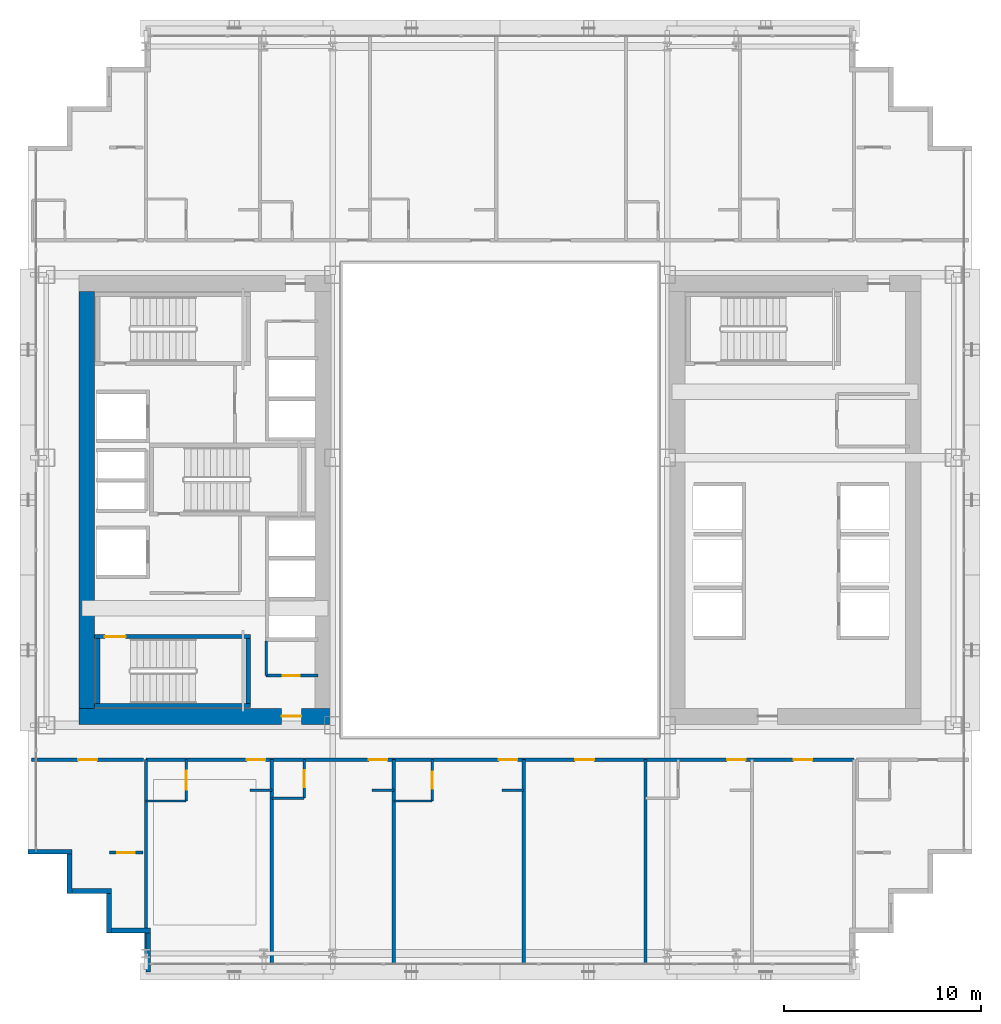
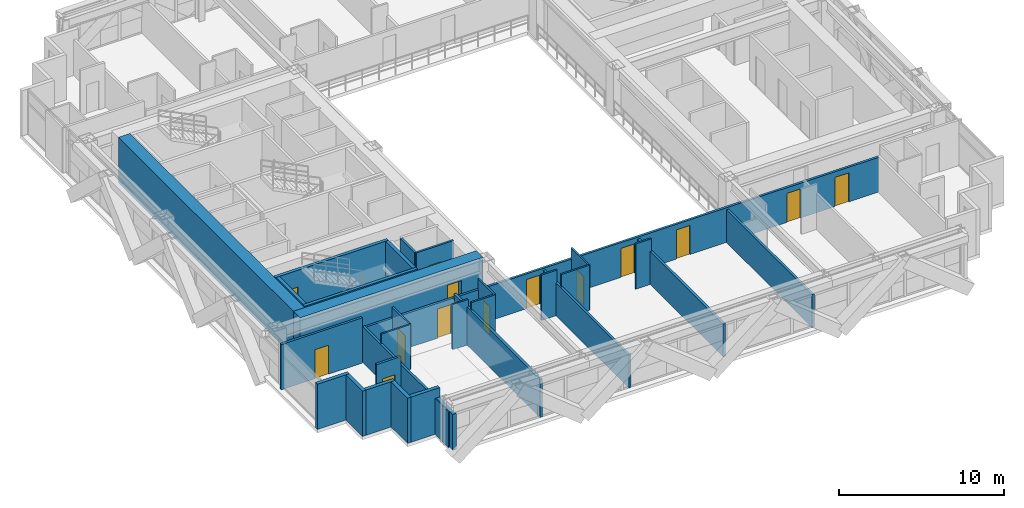
# One storey, part 27 of 35: 31 walls, 14 doors, 14 openings.
"""IFC4 building model written with IfcOpenShell, lengths in metres."""

from ifc_helpers import new_model, si_unit, direction, frame, frame_2d, origin, place, context, subcontext, project, spatial, rectangle, extrude, source, transform, mapped, material, layer, layer_set, type_object, element, fill, save


model = new_model("IFC4")

# Units and contexts
model_context = context("Model", 3, precision=1e-05, world=origin(), true_north=direction((0.0, 1.0)))
body_context = subcontext(model_context, "Body", "Model", "MODEL_VIEW")
ifc_project = project(units=[si_unit("LENGTHUNIT", "METRE"), si_unit("AREAUNIT", "SQUARE_METRE"), si_unit("VOLUMEUNIT", "CUBIC_METRE"), si_unit("PLANEANGLEUNIT", "RADIAN"), si_unit("MASSUNIT", "GRAM", prefix="KILO")], contexts=[model_context])

# Site, building, storey
site_placement = place(None, origin())
site = spatial("IfcSite", under=ifc_project, at=site_placement, CompositionType="ELEMENT")
building_placement = place(site_placement, origin())
building = spatial("IfcBuilding", under=site, at=building_placement, Name="Ocotamira Hotel", CompositionType="ELEMENT")
storey_placement = place(building_placement, frame((0.0, 0.0, 49.199951171875)))
storey = spatial("IfcBuildingStorey", under=building, at=storey_placement, Name="L11", CompositionType="ELEMENT", Elevation=49.199951171875)

# Wall, opening, door
ifc_material_1 = material(Name="Concrete C60/75", Category="concrete")
ifc_layer_1 = layer(ifc_material_1, 0.800048828125)
ifc_layer_set_1 = layer_set([ifc_layer_1], Name="Concrete C60/75")
wall_type_1 = type_object("IfcWallType", Name="WL-CORE-800", PredefinedType="SHEAR", material=ifc_layer_set_1)
wall_1_placement = place(storey_placement, frame((10.60009765625, 15.0, 0.0), z_axis=(0.0, 0.0, 1.0), x_axis=(1.0, 0.0, 0.0)))
wall_1 = element("IfcWall", 1, at=wall_1_placement, inside=storey, type_object=wall_type_1, Name="L11 Shear Core Wall WCORE-S", PredefinedType="SHEAR", context=body_context, shape_type="SweptSolid", body=[
    extrude(rectangle(XDim=12.7998046875, YDim=0.800048828125, at=frame_2d((6.39990234375, 0.0))), origin(), (0.0, 0.0, 1.0), 3.35009765625),
])
opening_1_placement = place(wall_1_placement, frame((10.300048828125, 0.0, 0.0)))
opening_1 = element("IfcOpeningElement", 2, at=opening_1_placement, cuts=wall_1, Name="Opening D-FR2", PredefinedType="OPENING", context=body_context, shape_type="SweptSolid", body=[
    extrude(rectangle(XDim=1.0, YDim=2.14990234375, at=frame_2d((0.5, 1.074951171875))), frame((0.0, 0.41015625, 0.0), z_axis=(0.0, -1.0, 0.0), x_axis=(1.0, 0.0, 0.0)), (0.0, 0.0, 1.0), 0.820068359375),
])
ifc_material_2 = material(Name="Fire-rated acoustic timber-veneer door", Category="wood")
door_type_1 = type_object("IfcDoorType", Name="DR-FIRE-1000", OperationType="NOTDEFINED", PredefinedType="DOOR", material=ifc_material_2)
shared_shape_1 = source(origin(), body_context, "Body", "SweptSolid", [
    extrude(rectangle(XDim=1.0, YDim=2.14990234375, at=frame_2d((0.5, 1.074951171875))), frame((0.0, 0.02490234375, 0.0), z_axis=(0.0, -1.0, 0.0), x_axis=(1.0, 0.0, 0.0)), (0.0, 0.0, 1.0), 0.050048828125),
])
door_1_placement = place(opening_1_placement, origin())
door_1 = element("IfcDoor", 3, at=door_1_placement, inside=storey, type_object=door_type_1, Name="L11 Door ID-L11-WLOB-S-D [ID-L11-WLOB-S-D]", OperationType="SINGLE_SWING_LEFT", OverallHeight=2.14990234375, OverallWidth=1.0, PredefinedType="DOOR", context=body_context, shape_type="MappedRepresentation", body=[
    mapped(shared_shape_1, transform((0.0, 0.0, 0.0), scale=1.0)),
])
fill(opening_1, door_1)

# Walls
wall_2_placement = place(storey_placement, frame((11.0, 15.39990234375, 0.0), z_axis=(0.0, 0.0, 1.0), x_axis=(0.0, 1.0, 0.0)))
element("IfcWall", 4, at=wall_2_placement, inside=storey, type_object=wall_type_1, Name="L11 Shear Core Wall WCORE-W", PredefinedType="SHEAR", context=body_context, shape_type="SweptSolid", body=[
    extrude(rectangle(XDim=21.2001953125, YDim=0.800048828125, at=frame_2d((10.60009765625, 0.0))), origin(), (0.0, 0.0, 1.0), 3.35009765625),
])
ifc_material_3 = material(Name="Precast concrete C45/55", Category="concrete")
ifc_layer_2 = layer(ifc_material_3, 0.25)
ifc_layer_set_2 = layer_set([ifc_layer_2], Name="Precast concrete C45/55")
wall_type_2 = type_object("IfcWallType", Name="WL-EXT-SER-250", PredefinedType="SOLIDWALL", material=ifc_layer_set_2)
wall_3_placement = place(storey_placement, frame((8.0, 8.125, 0.0), z_axis=(0.0, 0.0, 1.0), x_axis=(1.0, 0.0, 0.0)))
element("IfcWall", 5, at=wall_3_placement, inside=storey, type_object=wall_type_2, Name="L11 Serrated Corner Wall 19", PredefinedType="SOLIDWALL", context=body_context, shape_type="SweptSolid", body=[
    extrude(rectangle(XDim=2.25, YDim=0.25, at=frame_2d((1.125, 0.0))), origin(), (0.0, 0.0, 1.0), 3.35009765625),
])
for number, where, z_axis, x_axis, name in (
    (6, (10.125, 8.0, 0.0), (0.0, 0.0, 1.0), (0.0, -1.0, 0.0), "L11 Serrated Corner Wall 20"),
    (7, (10.25, 6.125, 0.0), (0.0, 0.0, 1.0), (1.0, 0.0, 0.0), "L11 Serrated Corner Wall 21"),
    (8, (12.125, 6.0, 0.0), (0.0, 0.0, 1.0), (0.0, -1.0, 0.0), "L11 Serrated Corner Wall 22"),
    (9, (12.25, 4.125, 0.0), (0.0, 0.0, 1.0), (1.0, 0.0, 0.0), "L11 Serrated Corner Wall 23"),
):
    element("IfcWall", number, at=place(storey_placement, frame(where, z_axis=z_axis, x_axis=x_axis)), inside=storey, type_object=wall_type_2, Name=name, PredefinedType="SOLIDWALL", context=body_context, shape_type="SweptSolid", body=[
        extrude(rectangle(XDim=2.0, YDim=0.25, at=frame_2d((1.0, 0.0))), origin(), (0.0, 0.0, 1.0), 3.35009765625),
    ])
wall_4_placement = place(storey_placement, frame((14.125, 4.0, 0.0), z_axis=(0.0, 0.0, 1.0), x_axis=(0.0, -1.0, 0.0)))
element("IfcWall", 10, at=wall_4_placement, inside=storey, type_object=wall_type_2, Name="L11 Serrated Corner Wall 24", PredefinedType="SOLIDWALL", context=body_context, shape_type="SweptSolid", body=[
    extrude(rectangle(XDim=2.0, YDim=0.25, at=frame_2d((1.0, 0.0))), origin(), (0.0, 0.0, 1.0), 2.656982421875),
])

# Wall, opening, door
ifc_material_4 = material(Name="Acoustic double-layer fire gypsum board partition", Category="gypsum")
ifc_layer_3 = layer(ifc_material_4, 0.159912109375)
ifc_layer_set_3 = layer_set([ifc_layer_3], Name="Acoustic double-layer fire gypsum board partition")
wall_type_3 = type_object("IfcWallType", Name="WL-FIRE-160", PredefinedType="PARTITIONING", material=ifc_layer_set_3)
wall_5_placement = place(storey_placement, frame((8.199951171875, 12.800048828125, 0.0), z_axis=(0.0, 0.0, 1.0), x_axis=(1.0, 0.0, 0.0)))
wall_5 = element("IfcWall", 11, at=wall_5_placement, inside=storey, type_object=wall_type_3, Name="L11 Interior Wall PW-L11-Z1B-CSW-CW", PredefinedType="PARTITIONING", context=body_context, shape_type="SweptSolid", body=[
    extrude(rectangle(XDim=5.679931640625, YDim=0.159912109375, at=frame_2d((2.83984375, 0.0))), origin(), (0.0, 0.0, 1.0), 3.35009765625),
])
opening_2_placement = place(wall_5_placement, frame((2.360107421875, 0.0, 0.0)))
opening_2 = element("IfcOpeningElement", 12, at=opening_2_placement, cuts=wall_5, Name="Opening D-SV4", PredefinedType="OPENING", context=body_context, shape_type="SweptSolid", body=[
    extrude(rectangle(XDim=0.9599609375, YDim=2.14990234375, at=frame_2d((0.47998046875, 1.074951171875))), frame((0.0, 0.08984375, 0.0), z_axis=(0.0, -1.0, 0.0), x_axis=(1.0, 0.0, 0.0)), (0.0, 0.0, 1.0), 0.179931640625),
])
ifc_material_5 = material(Name="Fire-rated accessible walnut salon door", Category="wood")
door_type_2 = type_object("IfcDoorType", Name="DR-SERV-960", OperationType="NOTDEFINED", PredefinedType="DOOR", material=ifc_material_5)
shared_shape_2 = source(origin(), body_context, "Body", "SweptSolid", [
    extrude(rectangle(XDim=0.9599609375, YDim=2.14990234375, at=frame_2d((0.47998046875, 1.074951171875))), frame((0.0, 0.02490234375, 0.0), z_axis=(0.0, -1.0, 0.0), x_axis=(1.0, 0.0, 0.0)), (0.0, 0.0, 1.0), 0.050048828125),
])
door_2_placement = place(opening_2_placement, origin())
door_2 = element("IfcDoor", 13, at=door_2_placement, inside=storey, type_object=door_type_2, Name="L11 Door ID-L11-Z1B-CSW-CD [ID-L11-Z1B-CSW-CD]", OperationType="SINGLE_SWING_LEFT", OverallHeight=2.14990234375, OverallWidth=0.9599609375, PredefinedType="DOOR", context=body_context, shape_type="MappedRepresentation", body=[
    mapped(shared_shape_2, transform((0.0, 0.0, 0.0), scale=1.0)),
])
fill(opening_2, door_2)

wall_6_placement = place(storey_placement, frame((12.14990234375, 8.080078125, 0.0), z_axis=(0.0, 0.0, 1.0), x_axis=(1.0, 0.0, 0.0)))
wall_6 = element("IfcWall", 14, at=wall_6_placement, inside=storey, type_object=wall_type_3, Name="L11 Interior Wall PW-L11-Z1B-CSW2-CW", PredefinedType="PARTITIONING", context=body_context, shape_type="SweptSolid", body=[
    extrude(rectangle(XDim=1.7001953125, YDim=0.159912109375, at=frame_2d((0.85009765625, 0.0))), origin(), (0.0, 0.0, 1.0), 3.35009765625),
])
opening_3_placement = place(wall_6_placement, frame((0.409912109375, 0.0, 0.0)))
opening_3 = element("IfcOpeningElement", 15, at=opening_3_placement, cuts=wall_6, Name="Opening D-SV2", PredefinedType="OPENING", context=body_context, shape_type="SweptSolid", body=[
    extrude(rectangle(XDim=0.8798828125, YDim=2.14990234375, at=frame_2d((0.43994140625, 1.074951171875))), frame((0.0, 0.08984375, 0.0), z_axis=(0.0, -1.0, 0.0), x_axis=(1.0, 0.0, 0.0)), (0.0, 0.0, 1.0), 0.179931640625),
])
ifc_material_6 = material(Name="Fire-rated painted steel service door", Category="steel")
door_type_3 = type_object("IfcDoorType", Name="DR-SERV-880", OperationType="NOTDEFINED", PredefinedType="DOOR", material=ifc_material_6)
shared_shape_3 = source(origin(), body_context, "Body", "SweptSolid", [
    extrude(rectangle(XDim=0.8798828125, YDim=2.14990234375, at=frame_2d((0.43994140625, 1.074951171875))), frame((0.0, 0.02490234375, 0.0), z_axis=(0.0, -1.0, 0.0), x_axis=(1.0, 0.0, 0.0)), (0.0, 0.0, 1.0), 0.050048828125),
])
door_3_placement = place(opening_3_placement, origin())
door_3 = element("IfcDoor", 16, at=door_3_placement, inside=storey, type_object=door_type_3, Name="L11 Door ID-L11-Z1B-CSW2-CD [ID-L11-Z1B-CSW2-CD]", OperationType="SINGLE_SWING_LEFT", OverallHeight=2.14990234375, OverallWidth=0.8798828125, PredefinedType="DOOR", context=body_context, shape_type="MappedRepresentation", body=[
    mapped(shared_shape_3, transform((0.0, 0.0, 0.0), scale=1.0)),
])
fill(opening_3, door_3)

# Wall, openings, doors
wall_7_placement = place(storey_placement, frame((14.0, 12.800048828125, 0.0), z_axis=(0.0, 0.0, 1.0), x_axis=(1.0, 0.0, 0.0)))
wall_7 = element("IfcWall", 17, at=wall_7_placement, inside=storey, type_object=wall_type_3, Name="L11 Interior Wall PW-L11-Z1BS-CORRW", PredefinedType="PARTITIONING", context=body_context, shape_type="SweptSolid", body=[
    extrude(rectangle(XDim=36.0, YDim=0.159912109375, at=frame_2d((18.0, 0.0))), origin(), (0.0, 0.0, 1.0), 2.571044921875),
])
opening_4_placement = place(wall_7_placement, frame((5.139892578125, 0.0, 0.0)))
opening_4 = element("IfcOpeningElement", 18, at=opening_4_placement, cuts=wall_7, Name="Opening D-GR1", PredefinedType="OPENING", context=body_context, shape_type="SweptSolid", body=[
    extrude(rectangle(XDim=0.93994140625, YDim=2.14990234375, at=frame_2d((0.469970703125, 1.074951171875))), frame((0.0, 0.08984375, 0.0), z_axis=(0.0, -1.0, 0.0), x_axis=(1.0, 0.0, 0.0)), (0.0, 0.0, 1.0), 0.179931640625),
])
opening_5_placement = place(wall_7_placement, frame((11.340087890625, 0.0, 0.0)))
opening_5 = element("IfcOpeningElement", 19, at=opening_5_placement, cuts=wall_7, Name="Opening D-GR1", PredefinedType="OPENING", context=body_context, shape_type="SweptSolid", body=[
    extrude(rectangle(XDim=0.93994140625, YDim=2.14990234375, at=frame_2d((0.469970703125, 1.074951171875))), frame((0.0, 0.08984375, 0.0), z_axis=(0.0, -1.0, 0.0), x_axis=(1.0, 0.0, 0.0)), (0.0, 0.0, 1.0), 0.179931640625),
])
opening_6_placement = place(wall_7_placement, frame((17.93994140625, 0.0, 0.0)))
opening_6 = element("IfcOpeningElement", 20, at=opening_6_placement, cuts=wall_7, Name="Opening D-GR1", PredefinedType="OPENING", context=body_context, shape_type="SweptSolid", body=[
    extrude(rectangle(XDim=0.93994140625, YDim=2.14990234375, at=frame_2d((0.469970703125, 1.074951171875))), frame((0.0, 0.08984375, 0.0), z_axis=(0.0, -1.0, 0.0), x_axis=(1.0, 0.0, 0.0)), (0.0, 0.0, 1.0), 0.179931640625),
])
opening_7_placement = place(wall_7_placement, frame((21.820068359375, 0.0, 0.0)))
opening_7 = element("IfcOpeningElement", 21, at=opening_7_placement, cuts=wall_7, Name="Opening D-SV4", PredefinedType="OPENING", context=body_context, shape_type="SweptSolid", body=[
    extrude(rectangle(XDim=0.9599609375, YDim=2.14990234375, at=frame_2d((0.47998046875, 1.074951171875))), frame((0.0, 0.08984375, 0.0), z_axis=(0.0, -1.0, 0.0), x_axis=(1.0, 0.0, 0.0)), (0.0, 0.0, 1.0), 0.179931640625),
])
opening_8_placement = place(wall_7_placement, frame((29.5400390625, 0.0, 0.0)))
opening_8 = element("IfcOpeningElement", 22, at=opening_8_placement, cuts=wall_7, Name="Opening D-GR1", PredefinedType="OPENING", context=body_context, shape_type="SweptSolid", body=[
    extrude(rectangle(XDim=0.93994140625, YDim=2.14990234375, at=frame_2d((0.469970703125, 1.074951171875))), frame((0.0, 0.08984375, 0.0), z_axis=(0.0, -1.0, 0.0), x_axis=(1.0, 0.0, 0.0)), (0.0, 0.0, 1.0), 0.179931640625),
])
opening_9_placement = place(wall_7_placement, frame((32.919921875, 0.0, 0.0)))
opening_9 = element("IfcOpeningElement", 23, at=opening_9_placement, cuts=wall_7, Name="Opening D-SV4", PredefinedType="OPENING", context=body_context, shape_type="SweptSolid", body=[
    extrude(rectangle(XDim=0.9599609375, YDim=2.14990234375, at=frame_2d((0.47998046875, 1.074951171875))), frame((0.0, 0.08984375, 0.0), z_axis=(0.0, -1.0, 0.0), x_axis=(1.0, 0.0, 0.0)), (0.0, 0.0, 1.0), 0.179931640625),
])
door_4_placement = place(opening_7_placement, origin())
door_4 = element("IfcDoor", 24, at=door_4_placement, inside=storey, type_object=door_type_2, Name="L11 Door ID-L11-Z1BS-AMD4 [ID-L11-Z1BS-AMD4]", OperationType="SINGLE_SWING_RIGHT", OverallHeight=2.14990234375, OverallWidth=0.9599609375, PredefinedType="DOOR", context=body_context, shape_type="MappedRepresentation", body=[
    mapped(shared_shape_2, transform((0.0, 0.0, 0.0), scale=1.0)),
])
fill(opening_7, door_4)
door_5_placement = place(opening_9_placement, origin())
door_5 = element("IfcDoor", 25, at=door_5_placement, inside=storey, type_object=door_type_2, Name="L11 Door ID-L11-Z1BS-AMD6 [ID-L11-Z1BS-AMD6]", OperationType="SINGLE_SWING_RIGHT", OverallHeight=2.14990234375, OverallWidth=0.9599609375, PredefinedType="DOOR", context=body_context, shape_type="MappedRepresentation", body=[
    mapped(shared_shape_2, transform((0.0, 0.0, 0.0), scale=1.0)),
])
fill(opening_9, door_5)
ifc_material_7 = material(Name="Solid-core walnut suite entrance fire door", Category="wood")
door_type_4 = type_object("IfcDoorType", Name="DR-GUEST-940", OperationType="NOTDEFINED", PredefinedType="DOOR", material=ifc_material_7)
shared_shape_4 = source(origin(), body_context, "Body", "SweptSolid", [
    extrude(rectangle(XDim=0.93994140625, YDim=2.14990234375, at=frame_2d((0.469970703125, 1.074951171875))), frame((0.0, 0.02490234375, 0.0), z_axis=(0.0, -1.0, 0.0), x_axis=(1.0, 0.0, 0.0)), (0.0, 0.0, 1.0), 0.050048828125),
])
door_6_placement = place(opening_4_placement, origin())
door_6 = element("IfcDoor", 26, at=door_6_placement, inside=storey, type_object=door_type_4, Name="L11 Door ID-L11-Z1BS-RMD1 [ID-L11-Z1BS-RMD1]", OperationType="SINGLE_SWING_LEFT", OverallHeight=2.14990234375, OverallWidth=0.93994140625, PredefinedType="DOOR", context=body_context, shape_type="MappedRepresentation", body=[
    mapped(shared_shape_4, transform((0.0, 0.0, 0.0), scale=1.0)),
])
fill(opening_4, door_6)
door_7_placement = place(opening_5_placement, origin())
door_7 = element("IfcDoor", 27, at=door_7_placement, inside=storey, type_object=door_type_4, Name="L11 Door ID-L11-Z1BS-RMD2 [ID-L11-Z1BS-RMD2]", OperationType="SINGLE_SWING_RIGHT", OverallHeight=2.14990234375, OverallWidth=0.93994140625, PredefinedType="DOOR", context=body_context, shape_type="MappedRepresentation", body=[
    mapped(shared_shape_4, transform((0.0, 0.0, 0.0), scale=1.0)),
])
fill(opening_5, door_7)
door_8_placement = place(opening_6_placement, origin())
door_8 = element("IfcDoor", 28, at=door_8_placement, inside=storey, type_object=door_type_4, Name="L11 Door ID-L11-Z1BS-RMD3 [ID-L11-Z1BS-RMD3]", OperationType="SINGLE_SWING_LEFT", OverallHeight=2.14990234375, OverallWidth=0.93994140625, PredefinedType="DOOR", context=body_context, shape_type="MappedRepresentation", body=[
    mapped(shared_shape_4, transform((0.0, 0.0, 0.0), scale=1.0)),
])
fill(opening_6, door_8)
door_9_placement = place(opening_8_placement, origin())
door_9 = element("IfcDoor", 29, at=door_9_placement, inside=storey, type_object=door_type_4, Name="L11 Door ID-L11-Z1BS-RMD5 [ID-L11-Z1BS-RMD5]", OperationType="SINGLE_SWING_LEFT", OverallHeight=2.14990234375, OverallWidth=0.93994140625, PredefinedType="DOOR", context=body_context, shape_type="MappedRepresentation", body=[
    mapped(shared_shape_4, transform((0.0, 0.0, 0.0), scale=1.0)),
])
fill(opening_8, door_9)

# Wall, opening, door
ifc_material_8 = material(Name="Moisture-resistant en-suite tile and gypsum partition", Category="gypsum")
ifc_layer_4 = layer(ifc_material_8, 0.1201171875)
ifc_layer_set_4 = layer_set([ifc_layer_4], Name="Moisture-resistant en-suite tile and gypsum partition")
wall_type_4 = type_object("IfcWallType", Name="WL-PART-120", PredefinedType="PARTITIONING", material=ifc_layer_set_4)
wall_8_placement = place(storey_placement, frame((16.050048828125, 10.699951171875, 0.0), z_axis=(0.0, 0.0, 1.0), x_axis=(0.0, 1.0, 0.0)))
wall_8 = element("IfcWall", 30, at=wall_8_placement, inside=storey, type_object=wall_type_4, Name="L11 Interior Wall PW-L11-Z1BS-BAE1", PredefinedType="PARTITIONING", context=body_context, shape_type="SweptSolid", body=[
    extrude(rectangle(XDim=2.10009765625, YDim=0.1201171875, at=frame_2d((1.050048828125, 0.0))), origin(), (0.0, 0.0, 1.0), 3.35009765625),
])
opening_10_placement = place(wall_8_placement, frame((0.570068359375, 0.0, 0.0)))
opening_10 = element("IfcOpeningElement", 31, at=opening_10_placement, cuts=wall_8, Name="Opening D-IN1", PredefinedType="OPENING", context=body_context, shape_type="SweptSolid", body=[
    extrude(rectangle(XDim=0.9599609375, YDim=2.14990234375, at=frame_2d((0.47998046875, 1.074951171875))), frame((0.0, 0.070068359375, 0.0), z_axis=(0.0, -1.0, 0.0), x_axis=(1.0, 0.0, 0.0)), (0.0, 0.0, 1.0), 0.14013671875),
])
ifc_material_9 = material(Name="Accessible walnut interior room door", Category="wood")
door_type_5 = type_object("IfcDoorType", Name="DR-INT-960", OperationType="NOTDEFINED", PredefinedType="DOOR", material=ifc_material_9)
door_10_placement = place(opening_10_placement, origin())
door_10 = element("IfcDoor", 32, at=door_10_placement, inside=storey, type_object=door_type_5, Name="L11 Door ID-L11-Z1BS-BAD1 [ID-L11-Z1BS-BAD1]", OperationType="SINGLE_SWING_RIGHT", OverallHeight=2.14990234375, OverallWidth=0.9599609375, PredefinedType="DOOR", context=body_context, shape_type="MappedRepresentation", body=[
    mapped(shared_shape_2, transform((0.0, 0.0, 0.0), scale=1.0)),
])
fill(opening_10, door_10)

# Walls
wall_9_placement = place(storey_placement, frame((14.0, 10.699951171875, 0.0), z_axis=(0.0, 0.0, 1.0), x_axis=(1.0, 0.0, 0.0)))
element("IfcWall", 33, at=wall_9_placement, inside=storey, type_object=wall_type_4, Name="L11 Interior Wall PW-L11-Z1BS-BAS1", PredefinedType="PARTITIONING", context=body_context, shape_type="SweptSolid", body=[
    extrude(rectangle(XDim=2.050048828125, YDim=0.1201171875, at=frame_2d((1.02490234375, 0.0))), origin(), (0.0, 0.0, 1.0), 3.35009765625),
])
wall_10_placement = place(storey_placement, frame((19.300048828125, 11.25, 0.0), z_axis=(0.0, 0.0, 1.0), x_axis=(1.0, 0.0, 0.0)))
element("IfcWall", 34, at=wall_10_placement, inside=storey, type_object=wall_type_4, Name="L11 Interior Wall PW-L11-Z1BS-DRN1", PredefinedType="PARTITIONING", context=body_context, shape_type="SweptSolid", body=[
    extrude(rectangle(XDim=1.099853515625, YDim=0.1201171875, at=frame_2d((0.5498046875, 0.0))), origin(), (0.0, 0.0, 1.0), 3.35009765625),
])

# Wall, opening, door
wall_11_placement = place(storey_placement, frame((22.050048828125, 10.85009765625, 0.0), z_axis=(0.0, 0.0, 1.0), x_axis=(0.0, 1.0, 0.0)))
wall_11 = element("IfcWall", 35, at=wall_11_placement, inside=storey, type_object=wall_type_4, Name="L11 Interior Wall PW-L11-Z1BS-BAE2", PredefinedType="PARTITIONING", context=body_context, shape_type="SweptSolid", body=[
    extrude(rectangle(XDim=1.949951171875, YDim=0.1201171875, at=frame_2d((0.97509765625, 0.0))), origin(), (0.0, 0.0, 1.0), 3.35009765625),
])
opening_11_placement = place(wall_11_placement, frame((0.544921875, 0.0, 0.0)))
opening_11 = element("IfcOpeningElement", 36, at=opening_11_placement, cuts=wall_11, Name="Opening D-BA1", PredefinedType="OPENING", context=body_context, shape_type="SweptSolid", body=[
    extrude(rectangle(XDim=0.860107421875, YDim=2.10009765625, at=frame_2d((0.43017578125, 1.050048828125))), frame((0.0, 0.070068359375, 0.0), z_axis=(0.0, -1.0, 0.0), x_axis=(1.0, 0.0, 0.0)), (0.0, 0.0, 1.0), 0.14013671875),
])
ifc_material_10 = material(Name="Moisture-sealed en-suite timber door", Category="wood")
door_type_6 = type_object("IfcDoorType", Name="DR-BATH-860", OperationType="NOTDEFINED", PredefinedType="DOOR", material=ifc_material_10)
shared_shape_5 = source(origin(), body_context, "Body", "SweptSolid", [
    extrude(rectangle(XDim=0.860107421875, YDim=2.10009765625, at=frame_2d((0.43017578125, 1.050048828125))), frame((0.0, 0.02490234375, 0.0), z_axis=(0.0, -1.0, 0.0), x_axis=(1.0, 0.0, 0.0)), (0.0, 0.0, 1.0), 0.050048828125),
])
door_11_placement = place(opening_11_placement, origin())
door_11 = element("IfcDoor", 37, at=door_11_placement, inside=storey, type_object=door_type_6, Name="L11 Door ID-L11-Z1BS-BAD2 [ID-L11-Z1BS-BAD2]", OperationType="SINGLE_SWING_LEFT", OverallHeight=2.10009765625, OverallWidth=0.860107421875, PredefinedType="DOOR", context=body_context, shape_type="MappedRepresentation", body=[
    mapped(shared_shape_5, transform((0.0, 0.0, 0.0), scale=1.0)),
])
fill(opening_11, door_11)

# Walls
wall_12_placement = place(storey_placement, frame((20.39990234375, 10.85009765625, 0.0), z_axis=(0.0, 0.0, 1.0), x_axis=(1.0, 0.0, 0.0)))
element("IfcWall", 38, at=wall_12_placement, inside=storey, type_object=wall_type_4, Name="L11 Interior Wall PW-L11-Z1BS-BAS2", PredefinedType="PARTITIONING", context=body_context, shape_type="SweptSolid", body=[
    extrude(rectangle(XDim=1.650146484375, YDim=0.1201171875, at=frame_2d((0.8251953125, 0.0))), origin(), (0.0, 0.0, 1.0), 3.35009765625),
])
wall_13_placement = place(storey_placement, frame((25.5, 11.25, 0.0), z_axis=(0.0, 0.0, 1.0), x_axis=(1.0, 0.0, 0.0)))
element("IfcWall", 39, at=wall_13_placement, inside=storey, type_object=wall_type_4, Name="L11 Interior Wall PW-L11-Z1BS-DRN2", PredefinedType="PARTITIONING", context=body_context, shape_type="SweptSolid", body=[
    extrude(rectangle(XDim=1.10009765625, YDim=0.1201171875, at=frame_2d((0.550048828125, 0.0))), origin(), (0.0, 0.0, 1.0), 3.35009765625),
])

# Wall, opening, door
wall_14_placement = place(storey_placement, frame((28.550048828125, 10.699951171875, 0.0), z_axis=(0.0, 0.0, 1.0), x_axis=(0.0, 1.0, 0.0)))
wall_14 = element("IfcWall", 40, at=wall_14_placement, inside=storey, type_object=wall_type_4, Name="L11 Interior Wall PW-L11-Z1BS-BAE3", PredefinedType="PARTITIONING", context=body_context, shape_type="SweptSolid", body=[
    extrude(rectangle(XDim=2.10009765625, YDim=0.1201171875, at=frame_2d((1.050048828125, 0.0))), origin(), (0.0, 0.0, 1.0), 3.35009765625),
])
opening_12_placement = place(wall_14_placement, frame((0.6201171875, 0.0, 0.0)))
opening_12 = element("IfcOpeningElement", 41, at=opening_12_placement, cuts=wall_14, Name="Opening D-BA1", PredefinedType="OPENING", context=body_context, shape_type="SweptSolid", body=[
    extrude(rectangle(XDim=0.860107421875, YDim=2.10009765625, at=frame_2d((0.43017578125, 1.050048828125))), frame((0.0, 0.070068359375, 0.0), z_axis=(0.0, -1.0, 0.0), x_axis=(1.0, 0.0, 0.0)), (0.0, 0.0, 1.0), 0.14013671875),
])
door_12_placement = place(opening_12_placement, origin())
door_12 = element("IfcDoor", 42, at=door_12_placement, inside=storey, type_object=door_type_6, Name="L11 Door ID-L11-Z1BS-BAD3 [ID-L11-Z1BS-BAD3]", OperationType="SINGLE_SWING_RIGHT", OverallHeight=2.10009765625, OverallWidth=0.860107421875, PredefinedType="DOOR", context=body_context, shape_type="MappedRepresentation", body=[
    mapped(shared_shape_5, transform((0.0, 0.0, 0.0), scale=1.0)),
])
fill(opening_12, door_12)

# Walls
wall_15_placement = place(storey_placement, frame((26.60009765625, 10.699951171875, 0.0), z_axis=(0.0, 0.0, 1.0), x_axis=(1.0, 0.0, 0.0)))
element("IfcWall", 43, at=wall_15_placement, inside=storey, type_object=wall_type_4, Name="L11 Interior Wall PW-L11-Z1BS-BAS3", PredefinedType="PARTITIONING", context=body_context, shape_type="SweptSolid", body=[
    extrude(rectangle(XDim=1.949951171875, YDim=0.1201171875, at=frame_2d((0.97509765625, 0.0))), origin(), (0.0, 0.0, 1.0), 3.35009765625),
])
wall_16_placement = place(storey_placement, frame((32.10009765625, 11.25, 0.0), z_axis=(0.0, 0.0, 1.0), x_axis=(1.0, 0.0, 0.0)))
element("IfcWall", 44, at=wall_16_placement, inside=storey, type_object=wall_type_4, Name="L11 Interior Wall PW-L11-Z1BS-DRN3", PredefinedType="PARTITIONING", context=body_context, shape_type="SweptSolid", body=[
    extrude(rectangle(XDim=1.099853515625, YDim=0.1201171875, at=frame_2d((0.5498046875, 0.0))), origin(), (0.0, 0.0, 1.0), 3.35009765625),
])
ifc_material_11 = material(Name="Acoustic hospitality gypsum board partition", Category="gypsum")
ifc_layer_5 = layer(ifc_material_11, 0.14208984375)
ifc_layer_set_5 = layer_set([ifc_layer_5], Name="Acoustic hospitality gypsum board partition")
wall_type_5 = type_object("IfcWallType", Name="WL-PART-142", PredefinedType="PARTITIONING", material=ifc_layer_set_5)
wall_17_placement = place(storey_placement, frame((20.1201171875, 17.080078125, 0.0), z_axis=(0.0, 0.0, 1.0), x_axis=(0.0, 1.0, 0.0)))
element("IfcWall", 45, at=wall_17_placement, inside=storey, type_object=wall_type_5, Name="L11 Interior Wall PW-L11-WC-SE-W2", PredefinedType="PARTITIONING", context=body_context, shape_type="SweptSolid", body=[
    extrude(rectangle(XDim=1.760009765625, YDim=0.14208984375, at=frame_2d((0.8798828125, 0.0))), origin(), (0.0, 0.0, 1.0), 3.35009765625),
])

# Wall, opening, door
wall_18_placement = place(storey_placement, frame((20.1201171875, 17.080078125, 0.0), z_axis=(0.0, 0.0, 1.0), x_axis=(1.0, 0.0, 0.0)))
wall_18 = element("IfcWall", 46, at=wall_18_placement, inside=storey, type_object=wall_type_5, Name="L11 Interior Wall PW-L11-WC-SE-S2", PredefinedType="PARTITIONING", context=body_context, shape_type="SweptSolid", body=[
    extrude(rectangle(XDim=2.6298828125, YDim=0.14208984375, at=frame_2d((1.31494140625, 0.0))), origin(), (0.0, 0.0, 1.0), 3.35009765625),
])
opening_13_placement = place(wall_18_placement, frame((0.85009765625, 0.0, 0.0)))
opening_13 = element("IfcOpeningElement", 47, at=opening_13_placement, cuts=wall_18, Name="Opening D-SV1", PredefinedType="OPENING", context=body_context, shape_type="SweptSolid", body=[
    extrude(rectangle(XDim=0.840087890625, YDim=2.10009765625, at=frame_2d((0.419921875, 1.050048828125))), frame((0.0, 0.0810546875, 0.0), z_axis=(0.0, -1.0, 0.0), x_axis=(1.0, 0.0, 0.0)), (0.0, 0.0, 1.0), 0.162109375),
])
door_type_7 = type_object("IfcDoorType", Name="DR-SERV-840", OperationType="NOTDEFINED", PredefinedType="DOOR", material=ifc_material_6)
shared_shape_6 = source(origin(), body_context, "Body", "SweptSolid", [
    extrude(rectangle(XDim=0.840087890625, YDim=2.10009765625, at=frame_2d((0.419921875, 1.050048828125))), frame((0.0, 0.02490234375, 0.0), z_axis=(0.0, -1.0, 0.0), x_axis=(1.0, 0.0, 0.0)), (0.0, 0.0, 1.0), 0.050048828125),
])
door_13_placement = place(opening_13_placement, origin())
door_13 = element("IfcDoor", 48, at=door_13_placement, inside=storey, type_object=door_type_7, Name="L11 Door ID-L11-WC-SE-D2 [ID-L11-WC-SE-D2]", OperationType="SINGLE_SWING_LEFT", OverallHeight=2.10009765625, OverallWidth=0.840087890625, PredefinedType="DOOR", context=body_context, shape_type="MappedRepresentation", body=[
    mapped(shared_shape_6, transform((0.0, 0.0, 0.0), scale=1.0)),
])
fill(opening_13, door_13)

# Walls
ifc_material_12 = material(Name="Acoustic double-stud hospitality gypsum partition", Category="gypsum")
ifc_layer_6 = layer(ifc_material_12, 0.159912109375)
ifc_layer_set_6 = layer_set([ifc_layer_6], Name="Acoustic double-stud hospitality gypsum partition")
wall_type_6 = type_object("IfcWallType", Name="WL-PART-160", PredefinedType="PARTITIONING", material=ifc_layer_set_6)
wall_19_placement = place(storey_placement, frame((14.0, 2.360107421875, 0.0), z_axis=(0.0, 0.0, 1.0), x_axis=(0.0, 1.0, 0.0)))
element("IfcWall", 49, at=wall_19_placement, inside=storey, type_object=wall_type_6, Name="L11 Interior Wall PW-L11-Z1BS-PW0", PredefinedType="PARTITIONING", context=body_context, shape_type="SweptSolid", body=[
    extrude(rectangle(XDim=10.43994140625, YDim=0.159912109375, at=frame_2d((5.219970703125, 0.0))), origin(), (0.0, 0.0, 1.0), 2.656982421875),
])
for number, where, z_axis, x_axis, name in (
    (50, (26.60009765625, 2.360107421875, 0.0), (0.0, 0.0, 1.0), (0.0, 1.0, 0.0), "L11 Interior Wall PW-L11-Z1BS-PW2"),
    (51, (39.39990234375, 2.360107421875, 0.0), (0.0, 0.0, 1.0), (0.0, 1.0, 0.0), "L11 Interior Wall PW-L11-Z1BS-PW4"),
):
    element("IfcWall", number, at=place(storey_placement, frame(where, z_axis=z_axis, x_axis=x_axis)), inside=storey, type_object=wall_type_6, Name=name, PredefinedType="PARTITIONING", context=body_context, shape_type="SweptSolid", body=[
        extrude(rectangle(XDim=10.43994140625, YDim=0.159912109375, at=frame_2d((5.219970703125, 0.0))), origin(), (0.0, 0.0, 1.0), 2.423095703125),
    ])
ifc_material_13 = material(Name="Double-stud suite party gypsum partition", Category="gypsum")
ifc_layer_7 = layer(ifc_material_13, 0.175048828125)
ifc_layer_set_7 = layer_set([ifc_layer_7], Name="Double-stud suite party gypsum partition")
wall_type_7 = type_object("IfcWallType", Name="WL-PART-175", PredefinedType="PARTITIONING", material=ifc_layer_set_7)
wall_20_placement = place(storey_placement, frame((20.39990234375, 2.360107421875, 0.0), z_axis=(0.0, 0.0, 1.0), x_axis=(0.0, 1.0, 0.0)))
element("IfcWall", 52, at=wall_20_placement, inside=storey, type_object=wall_type_7, Name="L11 Interior Wall PW-L11-Z1BS-PW1", PredefinedType="PARTITIONING", context=body_context, shape_type="SweptSolid", body=[
    extrude(rectangle(XDim=10.43994140625, YDim=0.175048828125, at=frame_2d((5.219970703125, 0.0))), origin(), (0.0, 0.0, 1.0), 2.81298828125),
])
wall_21_placement = place(storey_placement, frame((33.199951171875, 2.360107421875, 0.0), z_axis=(0.0, 0.0, 1.0), x_axis=(0.0, 1.0, 0.0)))
element("IfcWall", 53, at=wall_21_placement, inside=storey, type_object=wall_type_7, Name="L11 Interior Wall PW-L11-Z1BS-PW3", PredefinedType="PARTITIONING", context=body_context, shape_type="SweptSolid", body=[
    extrude(rectangle(XDim=10.43994140625, YDim=0.175048828125, at=frame_2d((5.219970703125, 0.0))), origin(), (0.0, 0.0, 1.0), 2.423095703125),
])
ifc_material_14 = material(Name="Concrete C50/60", Category="concrete")
ifc_layer_8 = layer(ifc_material_14, 0.219970703125)
ifc_layer_set_8 = layer_set([ifc_layer_8], Name="Concrete C50/60")
wall_type_8 = type_object("IfcWallType", Name="WL-STAIR-220", PredefinedType="SHEAR", material=ifc_layer_set_8)
wall_22_placement = place(storey_placement, frame((11.39990234375, 15.56005859375, 0.0), z_axis=(0.0, 0.0, 1.0), x_axis=(1.0, 0.0, 0.0)))
element("IfcWall", 54, at=wall_22_placement, inside=storey, type_object=wall_type_8, Name="L11 Stair Shaft Structural Wall ST-1-S", PredefinedType="SHEAR", context=body_context, shape_type="SweptSolid", body=[
    extrude(rectangle(XDim=7.91015625, YDim=0.219970703125, at=frame_2d((3.955078125, 0.0))), origin(), (0.0, 0.0, 1.0), 3.400146484375),
])

# Wall, opening, door
wall_23_placement = place(storey_placement, frame((11.39990234375, 19.06005859375, 0.0), z_axis=(0.0, 0.0, 1.0), x_axis=(1.0, 0.0, 0.0)))
wall_23 = element("IfcWall", 55, at=wall_23_placement, inside=storey, type_object=wall_type_8, Name="L11 Stair Shaft Structural Wall ST-1-N", PredefinedType="SHEAR", context=body_context, shape_type="SweptSolid", body=[
    extrude(rectangle(XDim=7.91015625, YDim=0.219970703125, at=frame_2d((3.955078125, 0.0))), origin(), (0.0, 0.0, 1.0), 3.400146484375),
])
opening_14_placement = place(wall_23_placement, frame((0.52001953125, 0.0, 0.0)))
opening_14 = element("IfcOpeningElement", 56, at=opening_14_placement, cuts=wall_23, Name="Opening D-ST2", PredefinedType="OPENING", context=body_context, shape_type="SweptSolid", body=[
    extrude(rectangle(XDim=1.050048828125, YDim=2.14990234375, at=frame_2d((0.52490234375, 1.074951171875))), frame((0.0, 0.1201171875, 0.0), z_axis=(0.0, -1.0, 0.0), x_axis=(1.0, 0.0, 0.0)), (0.0, 0.0, 1.0), 0.239990234375),
])
ifc_material_15 = material(Name="Insulated painted hollow-metal fire exit door", Category="steel")
door_type_8 = type_object("IfcDoorType", Name="DR-STAIR-1050", OperationType="NOTDEFINED", PredefinedType="DOOR", material=ifc_material_15)
shared_shape_7 = source(origin(), body_context, "Body", "SweptSolid", [
    extrude(rectangle(XDim=1.050048828125, YDim=2.14990234375, at=frame_2d((0.52490234375, 1.074951171875))), frame((0.0, 0.02490234375, 0.0), z_axis=(0.0, -1.0, 0.0), x_axis=(1.0, 0.0, 0.0)), (0.0, 0.0, 1.0), 0.050048828125),
])
door_14_placement = place(opening_14_placement, origin())
door_14 = element("IfcDoor", 57, at=door_14_placement, inside=storey, type_object=door_type_8, Name="L11 Door ID-L11-STD-ST-1 [ID-L11-STD-ST-1]", OperationType="SINGLE_SWING_RIGHT", OverallHeight=2.14990234375, OverallWidth=1.050048828125, PredefinedType="DOOR", context=body_context, shape_type="MappedRepresentation", body=[
    mapped(shared_shape_7, transform((0.0, 0.0, 0.0), scale=1.0)),
])
fill(opening_14, door_14)

# Walls
for number, where, z_axis, x_axis, name in (
    (58, (11.56005859375, 15.669921875, 0.0), (0.0, 0.0, 1.0), (0.0, 1.0, 0.0), "L11 Stair Shaft Structural Wall ST-1-W"),
    (59, (19.199951171875, 15.669921875, 0.0), (0.0, 0.0, 1.0), (0.0, 1.0, 0.0), "L11 Stair Shaft Structural Wall ST-1-E"),
):
    element("IfcWall", number, at=place(storey_placement, frame(where, z_axis=z_axis, x_axis=x_axis)), inside=storey, type_object=wall_type_8, Name=name, PredefinedType="SHEAR", context=body_context, shape_type="SweptSolid", body=[
        extrude(rectangle(XDim=3.280029296875, YDim=0.219970703125, at=frame_2d((1.64013671875, 0.0))), origin(), (0.0, 0.0, 1.0), 3.400146484375),
    ])

save(model, "model.ifc")
